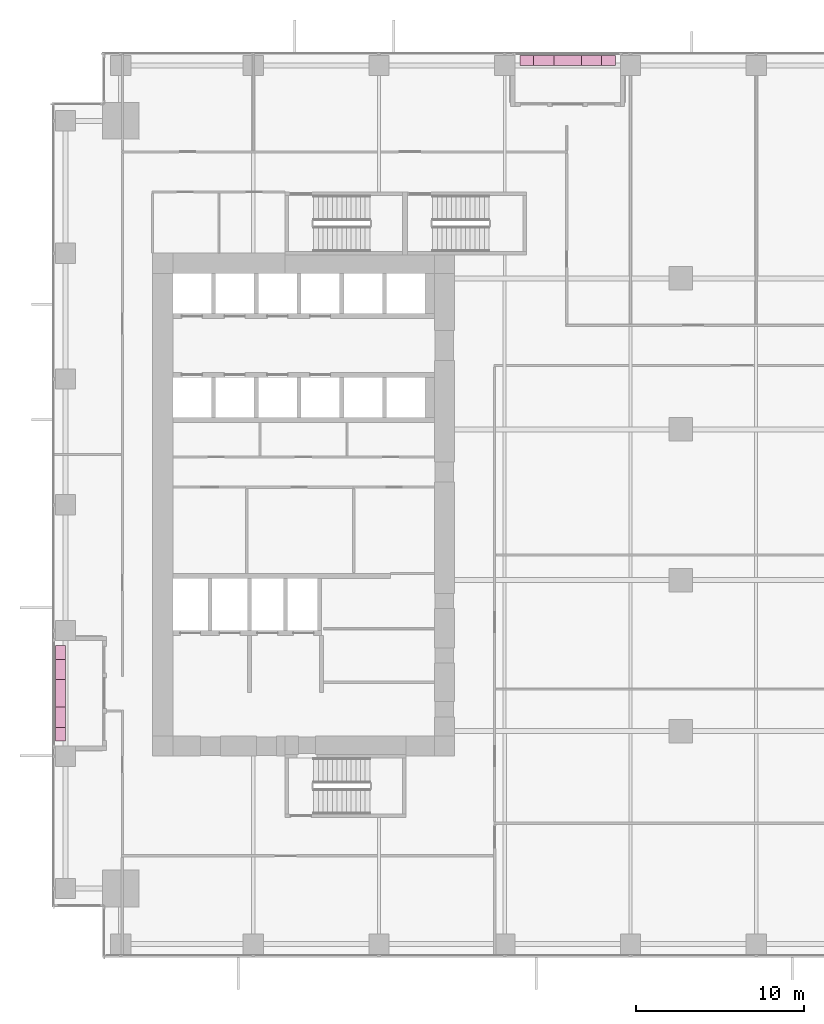
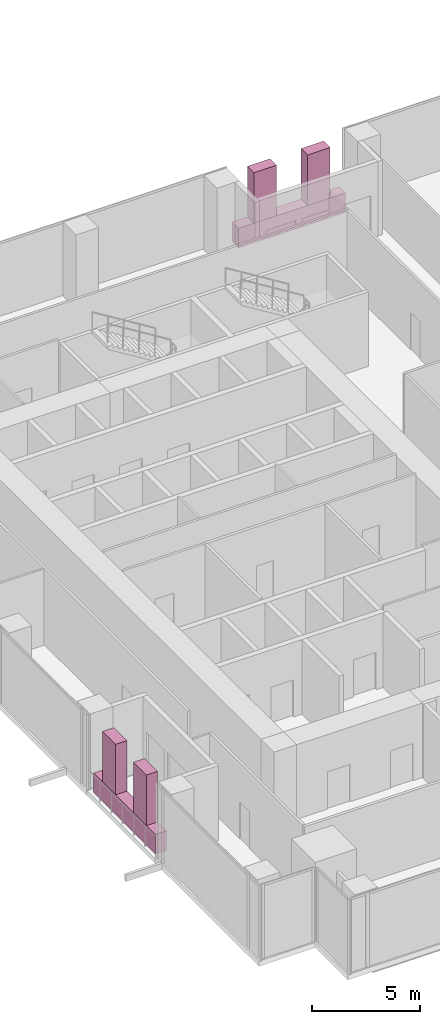
# One storey, part 33 of 33: 6 furnishings.
"""IFC4 building model written with IfcOpenShell, lengths in metres."""

import ifcopenshell
import ifcopenshell.guid

model = None  # the IFC model being written
_history = None  # IfcOwnerHistory: only IFC2X3 demands one
_inside = {}  # id of a spatial element -> (the spatial element, [elements in it])
_under = {}  # id of a project, library or spatial element -> (it, [spatial elements below it])
_declared = {}  # id of a project -> (the project, [libraries it declares])
_typed = {}  # id of a type object -> (the type object, [elements of that type])
_made_of = {}  # id of a material, layer set ... -> (it, [elements and type objects made of it])


def new_model(schema):
    """Start an empty IFC model of exactly this schema.

    Asked for "IFC4X3", IfcOpenShell would pick the latest addendum, in which some entities
    have other attributes; the version numbers below select the first issue.
    IFC2X3 requires an IfcOwnerHistory on every rooted entity: one is made here for all.
    """
    global model, _history
    if schema == "IFC4X3":
        model = ifcopenshell.file(schema_version=(4, 3, 0, 0))
    else:
        model = ifcopenshell.file(schema=schema)
    _inside.clear()
    _under.clear()
    _declared.clear()
    _typed.clear()
    _made_of.clear()
    _history = None
    if model.schema == "IFC2X3":
        org = make("IfcOrganization", Name="unknown")
        user = make(
            "IfcPersonAndOrganization",
            ThePerson=make("IfcPerson", FamilyName="unknown"),
            TheOrganization=org,
        )
        app = make(
            "IfcApplication",
            ApplicationDeveloper=org,
            Version="unknown",
            ApplicationFullName="unknown",
            ApplicationIdentifier="unknown",
        )
        _history = make(
            "IfcOwnerHistory",
            OwningUser=user,
            OwningApplication=app,
            ChangeAction="ADDED",
            CreationDate=0,
        )
    return model


def make(cls, **values):
    """One entity of the class cls with the attributes given. An attribute that is None is left unset."""
    return model.create_entity(
        cls, **{name: value for name, value in values.items() if value is not None}
    )


def rooted(cls, **values):
    """An entity with a GlobalId (a new one), such as an element, a storey or a relation."""
    return make(cls, GlobalId=ifcopenshell.guid.new(), OwnerHistory=_history, **values)


def si_unit(unit_type, name, prefix=None):
    """IfcSIUnit, for example si_unit("LENGTHUNIT", "METRE", prefix="MILLI")."""
    return make("IfcSIUnit", UnitType=unit_type, Prefix=prefix, Name=name)


def assignment(units):
    """IfcUnitAssignment: the units of a project."""
    return None if units is None else make("IfcUnitAssignment", Units=units)


def point(xyz):
    """IfcCartesianPoint."""
    return None if xyz is None else make("IfcCartesianPoint", Coordinates=xyz)


def direction(xyz):
    """IfcDirection."""
    return None if xyz is None else make("IfcDirection", DirectionRatios=xyz)


def frame(location, z_axis=None, x_axis=None):
    """IfcAxis2Placement3D, a coordinate frame: its origin and axes. An axis left out is left unset."""
    return make(
        "IfcAxis2Placement3D",
        Location=point(location),
        Axis=direction(z_axis),
        RefDirection=direction(x_axis),
    )


def frame_2d(location, x_axis=None):
    """IfcAxis2Placement2D, a coordinate frame in the plane: its origin and x axis."""
    return make(
        "IfcAxis2Placement2D", Location=point(location), RefDirection=direction(x_axis)
    )


def origin():
    """The frame at (0, 0, 0) with its axes left unset."""
    return frame((0.0, 0.0, 0.0))


def origin_2d():
    """The frame at (0, 0) in the plane with its x axis left unset."""
    return frame_2d((0.0, 0.0))


def place(relative_to, where):
    """IfcLocalPlacement: puts the frame where relative to a parent placement (None: the world)."""
    return make(
        "IfcLocalPlacement", PlacementRelTo=relative_to, RelativePlacement=where
    )


def context(
    kind, dimensions, precision=None, world=None, true_north=None, identifier=None
):
    """IfcGeometricRepresentationContext, for example the 3D "Model" context."""
    return make(
        "IfcGeometricRepresentationContext",
        ContextIdentifier=identifier,
        ContextType=kind,
        CoordinateSpaceDimension=dimensions,
        Precision=precision,
        WorldCoordinateSystem=world,
        TrueNorth=true_north,
    )


def subcontext(parent, identifier, kind, view, scale=None):
    """IfcGeometricRepresentationSubContext, for example "Body" below "Model"."""
    return make(
        "IfcGeometricRepresentationSubContext",
        ContextIdentifier=identifier,
        ContextType=kind,
        ParentContext=parent,
        TargetScale=scale,
        TargetView=view,
    )


def project(units=None, contexts=None):
    """IfcProject with its units and contexts."""
    return rooted(
        "IfcProject",
        Name="project",
        RepresentationContexts=contexts,
        UnitsInContext=assignment(units),
    )


def spatial(cls, under=None, at=None, **own):
    """A site, building, storey or space (cls), placed at a placement, below another one or the project."""
    s = rooted(cls, ObjectPlacement=at, **own)
    if under is not None:
        _under.setdefault(under.id(), (under, []))[1].append(s)
    return s


def profile(cls, at=None, kind="AREA", **sizes):
    """A parametric profile (cls). Its sizes go by their IFC names, for example OverallWidth=200.0."""
    return make(cls, ProfileType=kind, Position=at, **sizes)


def rectangle(**sizes):
    """IfcRectangleProfileDef."""
    return profile("IfcRectangleProfileDef", **sizes)


def extrude(swept, where, along, depth):
    """IfcExtrudedAreaSolid: the profile swept, set in the frame where, extruded along a direction by depth."""
    return make(
        "IfcExtrudedAreaSolid",
        SweptArea=swept,
        Position=where,
        ExtrudedDirection=direction(along),
        Depth=depth,
    )


def shape(context_of_items, identifier, shape_type, items):
    """IfcShapeRepresentation: the items that make up one representation, for example the "Body"."""
    return make(
        "IfcShapeRepresentation",
        ContextOfItems=context_of_items,
        RepresentationIdentifier=identifier,
        RepresentationType=shape_type,
        Items=items,
    )


def source(mapping_origin, context_of_items, identifier, shape_type, items):
    """IfcRepresentationMap: a shape defined once, which mapped items show again and again."""
    return make(
        "IfcRepresentationMap",
        MappingOrigin=mapping_origin,
        MappedRepresentation=shape(context_of_items, identifier, shape_type, items),
    )


def transform(
    local_origin,
    x_axis=None,
    y_axis=None,
    z_axis=None,
    scale=None,
    scale2=None,
    scale3=None,
    uniform=True,
):
    """IfcCartesianTransformationOperator3D, or its non-uniform kind. x_axis, y_axis, z_axis: its Axis1, 2, 3."""
    if uniform:
        return make(
            "IfcCartesianTransformationOperator3D",
            Axis1=direction(x_axis),
            Axis2=direction(y_axis),
            LocalOrigin=point(local_origin),
            Scale=scale,
            Axis3=direction(z_axis),
        )
    return make(
        "IfcCartesianTransformationOperator3DnonUniform",
        Axis1=direction(x_axis),
        Axis2=direction(y_axis),
        LocalOrigin=point(local_origin),
        Scale=scale,
        Axis3=direction(z_axis),
        Scale2=scale2,
        Scale3=scale3,
    )


def mapped(mapping_source, mapping_target):
    """IfcMappedItem: shows the shape of a source again, moved by a transform."""
    return make(
        "IfcMappedItem", MappingSource=mapping_source, MappingTarget=mapping_target
    )


def material(Name=None, Category=None):
    """IfcMaterial."""
    return make("IfcMaterial", Name=Name, Category=Category)


def made_of(thing, what):
    """Note that an element or type object is made of a material, layer set ...; save() writes the relation."""
    if what is not None:
        _made_of.setdefault(what.id(), (what, []))[1].append(thing)
    return thing


def type_object(cls, material=None, **own):
    """A type object (cls), such as IfcWallType, which elements share."""
    return made_of(rooted(cls, **own), material)


def element(
    cls,
    number,
    at=None,
    inside=None,
    cuts=None,
    type_object=None,
    material=None,
    context=None,
    identifier="Body",
    shape_type=None,
    held_by="IfcProductDefinitionShape",
    body=None,
    shapes=None,
    **own,
):
    """One element of the class cls, such as IfcWall. Its Tag is "e" and its number.

    at: its placement. inside: the storey or other place that contains it. cuts: it is an
    opening in that element (IfcRelVoidsElement). A single representation is given by context,
    identifier, shape_type and body (its items); several are given by shapes. held_by: the class
    of the entity that holds the representations. save() writes the other relations.
    """
    e = rooted(cls, Tag="e%d" % number, ObjectPlacement=at, **own)
    if body is not None:
        shapes = [shape(context, identifier, shape_type, body)]
    if shapes is not None:
        e.Representation = make(held_by, Representations=shapes)
    if inside is not None:
        _inside.setdefault(inside.id(), (inside, []))[1].append(e)
    if cuts is not None:
        rooted(
            "IfcRelVoidsElement", RelatingBuildingElement=cuts, RelatedOpeningElement=e
        )
    if type_object is not None:
        _typed.setdefault(type_object.id(), (type_object, []))[1].append(e)
    return made_of(e, material)


def aggregate(whole, parts):
    """IfcRelAggregates: a whole, such as a stair, and the parts it consists of."""
    return rooted("IfcRelAggregates", RelatingObject=whole, RelatedObjects=parts)


def save(model, path):
    """Write the relations noted so far, then the file.

    IfcRelAggregates (storeys below a building ...), IfcRelContainedInSpatialStructure (elements
    in a storey), IfcRelDefinesByType, IfcRelAssociatesMaterial and IfcRelDeclares: one each for
    every whole, place, type object, material and project.
    """
    for whole, parts in _under.values():
        aggregate(whole, parts)
    for where, things in _inside.values():
        rooted(
            "IfcRelContainedInSpatialStructure",
            RelatedElements=things,
            RelatingStructure=where,
        )
    for kind, things in _typed.values():
        rooted("IfcRelDefinesByType", RelatedObjects=things, RelatingType=kind)
    for what, things in _made_of.values():
        rooted("IfcRelAssociatesMaterial", RelatedObjects=things, RelatingMaterial=what)
    for by, libraries in _declared.values():
        rooted("IfcRelDeclares", RelatingContext=by, RelatedDefinitions=libraries)
    model.write(path)


model = new_model("IFC4")

# Units and contexts
model_context = context("Model", 3, precision=1e-05, world=origin(), true_north=direction((0.0, 1.0)))
body_context = subcontext(model_context, "Body", "Model", "MODEL_VIEW")
ifc_project = project(units=[si_unit("LENGTHUNIT", "METRE"), si_unit("AREAUNIT", "SQUARE_METRE"), si_unit("VOLUMEUNIT", "CUBIC_METRE"), si_unit("PLANEANGLEUNIT", "RADIAN"), si_unit("MASSUNIT", "GRAM", prefix="KILO")], contexts=[model_context])

# Site, building, storey
site_placement = place(None, origin())
site = spatial("IfcSite", under=ifc_project, at=site_placement, CompositionType="ELEMENT")
building_placement = place(site_placement, origin())
building = spatial("IfcBuilding", under=site, at=building_placement, Name="Khomas Fold Tower", CompositionType="ELEMENT")
storey_placement = place(building_placement, frame((0.0, 0.0, 55.5)))
storey = spatial("IfcBuildingStorey", under=building, at=storey_placement, Name="L11", CompositionType="ELEMENT", Elevation=55.5)

# Furnishings
ifc_material_1 = material(Name="Precast concrete C40/50", Category="concrete")
furnishing_element_type_1 = type_object("IfcFurnishingElementType", Name="BL-Structural planter box", material=ifc_material_1)
shared_shape_1 = source(origin(), body_context, "Body", "SweptSolid", [
    extrude(rectangle(XDim=5.699951171875, YDim=0.60009765625, at=origin_2d()), origin(), (0.0, 0.0, 1.0), 1.10009765625),
])
for number, where, z_axis, x_axis, name in (
    (1, (30.75, 53.5, -0.045166015625), (0.0, 0.0, 1.0), (1.0, 0.0, 0.0), "PLANTER BAL-L11-N3"),
    (2, (0.5, 15.75, -0.045166015625), (0.0, 0.0, 1.0), (0.0, 1.0, 0.0), "PLANTER BAL-L11-W1"),
):
    element("IfcFurnishingElement", number, at=place(storey_placement, frame(where, z_axis=z_axis, x_axis=x_axis)), inside=storey, type_object=furnishing_element_type_1, Name=name, context=body_context, shape_type="MappedRepresentation", body=[
        mapped(shared_shape_1, transform((0.0, 0.0, 0.0))),
    ])
ifc_material_2 = material(Name="Planting")
furnishing_element_type_2 = type_object("IfcFurnishingElementType", Name="BL-Tree Wild olive", material=ifc_material_2)
shared_shape_2 = source(origin(), body_context, "Body", "SweptSolid", [
    extrude(rectangle(XDim=1.199951171875, YDim=0.60009765625, at=origin_2d()), origin(), (0.0, 0.0, 1.0), 2.844970703125),
])
furnishing_1_placement = place(storey_placement, frame((29.324951171875, 53.5, 1.05517578125), z_axis=(0.0, 0.0, 1.0), x_axis=(1.0, 0.0, 0.0)))
element("IfcFurnishingElement", 3, at=furnishing_1_placement, inside=storey, type_object=furnishing_element_type_2, Name="PLANTER (TREE) Wild olive BAL-L11-N3-1", context=body_context, shape_type="MappedRepresentation", body=[
    mapped(shared_shape_2, transform((0.0, 0.0, 0.0))),
])
ifc_material_3 = material(Name="Planting")
furnishing_element_type_3 = type_object("IfcFurnishingElementType", Name="BL-Tree Shepherd's tree", material=ifc_material_3)
furnishing_2_placement = place(storey_placement, frame((32.175048828125, 53.5, 1.05517578125), z_axis=(0.0, 0.0, 1.0), x_axis=(1.0, 0.0, 0.0)))
element("IfcFurnishingElement", 4, at=furnishing_2_placement, inside=storey, type_object=furnishing_element_type_3, Name="PLANTER (TREE) Shepherd's tree BAL-L11-N3-2", context=body_context, shape_type="MappedRepresentation", body=[
    mapped(shared_shape_2, transform((0.0, 0.0, 0.0))),
])
furnishing_3_placement = place(storey_placement, frame((0.5, 14.324951171875, 1.05517578125), z_axis=(0.0, 0.0, 1.0), x_axis=(0.0, 1.0, 0.0)))
element("IfcFurnishingElement", 5, at=furnishing_3_placement, inside=storey, type_object=furnishing_element_type_2, Name="PLANTER (TREE) Wild olive BAL-L11-W1-1", context=body_context, shape_type="MappedRepresentation", body=[
    mapped(shared_shape_2, transform((0.0, 0.0, 0.0))),
])
furnishing_4_placement = place(storey_placement, frame((0.5, 17.175048828125, 1.05517578125), z_axis=(0.0, 0.0, 1.0), x_axis=(0.0, 1.0, 0.0)))
element("IfcFurnishingElement", 6, at=furnishing_4_placement, inside=storey, type_object=furnishing_element_type_3, Name="PLANTER (TREE) Shepherd's tree BAL-L11-W1-2", context=body_context, shape_type="MappedRepresentation", body=[
    mapped(shared_shape_2, transform((0.0, 0.0, 0.0))),
])

save(model, "model.ifc")
